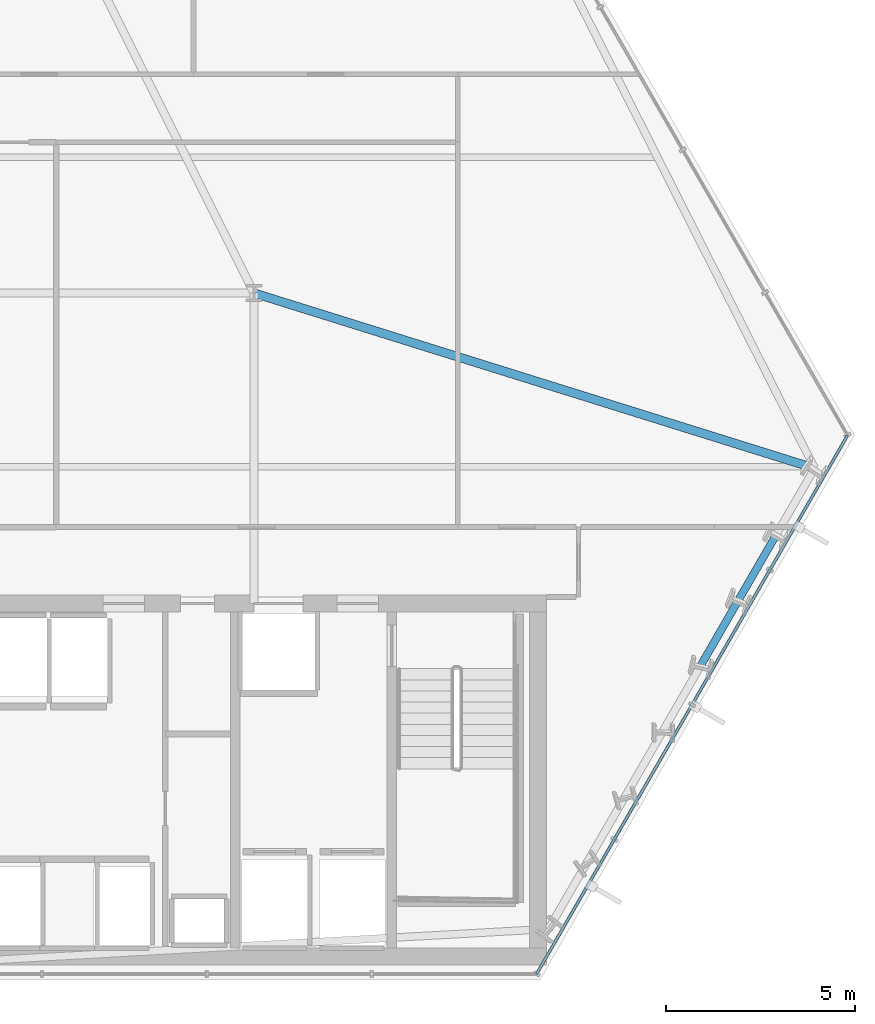
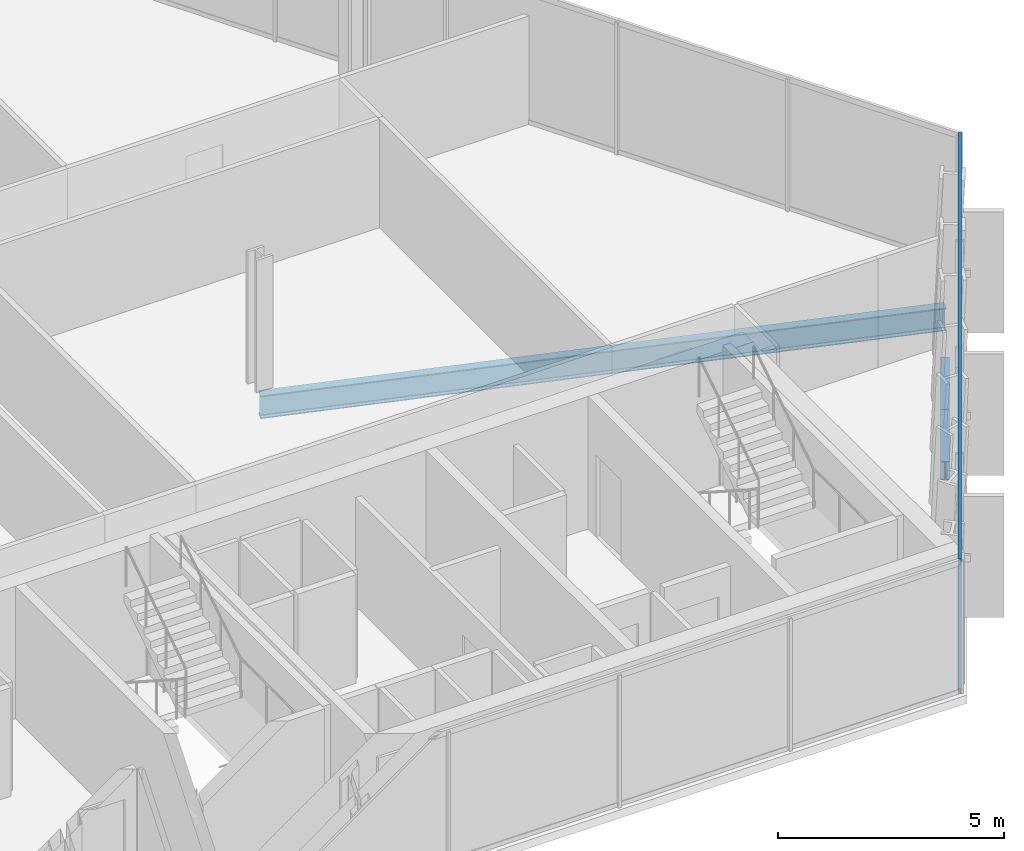
# One storey, part 15 of 33: 3 beams, 2 members, 1 element without a shape of its own.
"""IFC4 building model written with IfcOpenShell, lengths in metres."""

import ifcopenshell
import ifcopenshell.guid

model = None  # the IFC model being written
_history = None  # IfcOwnerHistory: only IFC2X3 demands one
_inside = {}  # id of a spatial element -> (the spatial element, [elements in it])
_under = {}  # id of a project, library or spatial element -> (it, [spatial elements below it])
_declared = {}  # id of a project -> (the project, [libraries it declares])
_typed = {}  # id of a type object -> (the type object, [elements of that type])
_made_of = {}  # id of a material, layer set ... -> (it, [elements and type objects made of it])


def new_model(schema):
    """Start an empty IFC model of exactly this schema.

    Asked for "IFC4X3", IfcOpenShell would pick the latest addendum, in which some entities
    have other attributes; the version numbers below select the first issue.
    IFC2X3 requires an IfcOwnerHistory on every rooted entity: one is made here for all.
    """
    global model, _history
    if schema == "IFC4X3":
        model = ifcopenshell.file(schema_version=(4, 3, 0, 0))
    else:
        model = ifcopenshell.file(schema=schema)
    _inside.clear()
    _under.clear()
    _declared.clear()
    _typed.clear()
    _made_of.clear()
    _history = None
    if model.schema == "IFC2X3":
        org = make("IfcOrganization", Name="unknown")
        user = make(
            "IfcPersonAndOrganization",
            ThePerson=make("IfcPerson", FamilyName="unknown"),
            TheOrganization=org,
        )
        app = make(
            "IfcApplication",
            ApplicationDeveloper=org,
            Version="unknown",
            ApplicationFullName="unknown",
            ApplicationIdentifier="unknown",
        )
        _history = make(
            "IfcOwnerHistory",
            OwningUser=user,
            OwningApplication=app,
            ChangeAction="ADDED",
            CreationDate=0,
        )
    return model


def make(cls, **values):
    """One entity of the class cls with the attributes given. An attribute that is None is left unset."""
    return model.create_entity(
        cls, **{name: value for name, value in values.items() if value is not None}
    )


def rooted(cls, **values):
    """An entity with a GlobalId (a new one), such as an element, a storey or a relation."""
    return make(cls, GlobalId=ifcopenshell.guid.new(), OwnerHistory=_history, **values)


def si_unit(unit_type, name, prefix=None):
    """IfcSIUnit, for example si_unit("LENGTHUNIT", "METRE", prefix="MILLI")."""
    return make("IfcSIUnit", UnitType=unit_type, Prefix=prefix, Name=name)


def assignment(units):
    """IfcUnitAssignment: the units of a project."""
    return None if units is None else make("IfcUnitAssignment", Units=units)


def point(xyz):
    """IfcCartesianPoint."""
    return None if xyz is None else make("IfcCartesianPoint", Coordinates=xyz)


def direction(xyz):
    """IfcDirection."""
    return None if xyz is None else make("IfcDirection", DirectionRatios=xyz)


def frame(location, z_axis=None, x_axis=None):
    """IfcAxis2Placement3D, a coordinate frame: its origin and axes. An axis left out is left unset."""
    return make(
        "IfcAxis2Placement3D",
        Location=point(location),
        Axis=direction(z_axis),
        RefDirection=direction(x_axis),
    )


def frame_2d(location, x_axis=None):
    """IfcAxis2Placement2D, a coordinate frame in the plane: its origin and x axis."""
    return make(
        "IfcAxis2Placement2D", Location=point(location), RefDirection=direction(x_axis)
    )


def origin():
    """The frame at (0, 0, 0) with its axes left unset."""
    return frame((0.0, 0.0, 0.0))


def origin_2d():
    """The frame at (0, 0) in the plane with its x axis left unset."""
    return frame_2d((0.0, 0.0))


def place(relative_to, where):
    """IfcLocalPlacement: puts the frame where relative to a parent placement (None: the world)."""
    return make(
        "IfcLocalPlacement", PlacementRelTo=relative_to, RelativePlacement=where
    )


def context(
    kind, dimensions, precision=None, world=None, true_north=None, identifier=None
):
    """IfcGeometricRepresentationContext, for example the 3D "Model" context."""
    return make(
        "IfcGeometricRepresentationContext",
        ContextIdentifier=identifier,
        ContextType=kind,
        CoordinateSpaceDimension=dimensions,
        Precision=precision,
        WorldCoordinateSystem=world,
        TrueNorth=true_north,
    )


def subcontext(parent, identifier, kind, view, scale=None):
    """IfcGeometricRepresentationSubContext, for example "Body" below "Model"."""
    return make(
        "IfcGeometricRepresentationSubContext",
        ContextIdentifier=identifier,
        ContextType=kind,
        ParentContext=parent,
        TargetScale=scale,
        TargetView=view,
    )


def project(units=None, contexts=None):
    """IfcProject with its units and contexts."""
    return rooted(
        "IfcProject",
        Name="project",
        RepresentationContexts=contexts,
        UnitsInContext=assignment(units),
    )


def spatial(cls, under=None, at=None, **own):
    """A site, building, storey or space (cls), placed at a placement, below another one or the project."""
    s = rooted(cls, ObjectPlacement=at, **own)
    if under is not None:
        _under.setdefault(under.id(), (under, []))[1].append(s)
    return s


def profile(cls, at=None, kind="AREA", **sizes):
    """A parametric profile (cls). Its sizes go by their IFC names, for example OverallWidth=200.0."""
    return make(cls, ProfileType=kind, Position=at, **sizes)


def hollow_rectangle(**sizes):
    """IfcRectangleHollowProfileDef."""
    return profile("IfcRectangleHollowProfileDef", **sizes)


def i_section(**sizes):
    """IfcIShapeProfileDef."""
    return profile("IfcIShapeProfileDef", **sizes)


def extrude(swept, where, along, depth):
    """IfcExtrudedAreaSolid: the profile swept, set in the frame where, extruded along a direction by depth."""
    return make(
        "IfcExtrudedAreaSolid",
        SweptArea=swept,
        Position=where,
        ExtrudedDirection=direction(along),
        Depth=depth,
    )


def shape(context_of_items, identifier, shape_type, items):
    """IfcShapeRepresentation: the items that make up one representation, for example the "Body"."""
    return make(
        "IfcShapeRepresentation",
        ContextOfItems=context_of_items,
        RepresentationIdentifier=identifier,
        RepresentationType=shape_type,
        Items=items,
    )


def material(Name=None, Category=None):
    """IfcMaterial."""
    return make("IfcMaterial", Name=Name, Category=Category)


def layer(
    of_material, thickness, ventilated=None, Name=None, Category=None, Priority=None
):
    """IfcMaterialLayer: one layer of a wall or slab, of a material (None: an air gap)."""
    return make(
        "IfcMaterialLayer",
        Material=of_material,
        LayerThickness=thickness,
        IsVentilated=ventilated,
        Name=Name,
        Category=Category,
        Priority=Priority,
    )


def layer_set(layers, Name=None):
    """IfcMaterialLayerSet."""
    return make("IfcMaterialLayerSet", MaterialLayers=layers, LayerSetName=Name)


def material_profile(
    of_material, cross_section, Name=None, Category=None, Priority=None
):
    """IfcMaterialProfile: a cross section and its material."""
    return make(
        "IfcMaterialProfile",
        Name=Name,
        Material=of_material,
        Profile=cross_section,
        Priority=Priority,
        Category=Category,
    )


def profile_set(profiles, Name=None, composite=None):
    """IfcMaterialProfileSet."""
    return make(
        "IfcMaterialProfileSet",
        Name=Name,
        MaterialProfiles=profiles,
        CompositeProfile=composite,
    )


def made_of(thing, what):
    """Note that an element or type object is made of a material, layer set ...; save() writes the relation."""
    if what is not None:
        _made_of.setdefault(what.id(), (what, []))[1].append(thing)
    return thing


def type_object(cls, material=None, **own):
    """A type object (cls), such as IfcWallType, which elements share."""
    return made_of(rooted(cls, **own), material)


def element(
    cls,
    number,
    at=None,
    inside=None,
    cuts=None,
    type_object=None,
    material=None,
    context=None,
    identifier="Body",
    shape_type=None,
    held_by="IfcProductDefinitionShape",
    body=None,
    shapes=None,
    **own,
):
    """One element of the class cls, such as IfcWall. Its Tag is "e" and its number.

    at: its placement. inside: the storey or other place that contains it. cuts: it is an
    opening in that element (IfcRelVoidsElement). A single representation is given by context,
    identifier, shape_type and body (its items); several are given by shapes. held_by: the class
    of the entity that holds the representations. save() writes the other relations.
    """
    e = rooted(cls, Tag="e%d" % number, ObjectPlacement=at, **own)
    if body is not None:
        shapes = [shape(context, identifier, shape_type, body)]
    if shapes is not None:
        e.Representation = make(held_by, Representations=shapes)
    if inside is not None:
        _inside.setdefault(inside.id(), (inside, []))[1].append(e)
    if cuts is not None:
        rooted(
            "IfcRelVoidsElement", RelatingBuildingElement=cuts, RelatedOpeningElement=e
        )
    if type_object is not None:
        _typed.setdefault(type_object.id(), (type_object, []))[1].append(e)
    return made_of(e, material)


def aggregate(whole, parts):
    """IfcRelAggregates: a whole, such as a stair, and the parts it consists of."""
    return rooted("IfcRelAggregates", RelatingObject=whole, RelatedObjects=parts)


def save(model, path):
    """Write the relations noted so far, then the file.

    IfcRelAggregates (storeys below a building ...), IfcRelContainedInSpatialStructure (elements
    in a storey), IfcRelDefinesByType, IfcRelAssociatesMaterial and IfcRelDeclares: one each for
    every whole, place, type object, material and project.
    """
    for whole, parts in _under.values():
        aggregate(whole, parts)
    for where, things in _inside.values():
        rooted(
            "IfcRelContainedInSpatialStructure",
            RelatedElements=things,
            RelatingStructure=where,
        )
    for kind, things in _typed.values():
        rooted("IfcRelDefinesByType", RelatedObjects=things, RelatingType=kind)
    for what, things in _made_of.values():
        rooted("IfcRelAssociatesMaterial", RelatedObjects=things, RelatingMaterial=what)
    for by, libraries in _declared.values():
        rooted("IfcRelDeclares", RelatingContext=by, RelatedDefinitions=libraries)
    model.write(path)


model = new_model("IFC4")

# Units and contexts
model_context = context("Model", 3, precision=1e-05, world=origin(), true_north=direction((0.0, 1.0)))
body_context = subcontext(model_context, "Body", "Model", "MODEL_VIEW")
ifc_project = project(units=[si_unit("LENGTHUNIT", "METRE"), si_unit("AREAUNIT", "SQUARE_METRE"), si_unit("VOLUMEUNIT", "CUBIC_METRE"), si_unit("PLANEANGLEUNIT", "RADIAN"), si_unit("MASSUNIT", "GRAM", prefix="KILO")], contexts=[model_context])

# Site, building, storey
site_placement = place(None, origin())
site = spatial("IfcSite", under=ifc_project, at=site_placement, CompositionType="ELEMENT")
building_placement = place(site_placement, origin())
building = spatial("IfcBuilding", under=site, at=building_placement, Name="Ndaravel Arena Tower", CompositionType="ELEMENT")
storey_placement = place(building_placement, frame((0.0, 0.0, 43.60009765625)))
storey = spatial("IfcBuildingStorey", under=building, at=storey_placement, Name="L08", CompositionType="ELEMENT", Elevation=43.60009765625)

# Beams
ifc_material_1 = material(Name="Steel S355", Category="steel")
ifc_material_profile_1 = material_profile(ifc_material_1, i_section(OverallWidth=0.230224609375, OverallDepth=0.6171875, WebThickness=0.01318359375, FlangeThickness=0.022216796875, FilletRadius=0.0126953125, at=origin_2d()), Name="UB 610x229x140")
ifc_profile_set_1 = profile_set([ifc_material_profile_1], Name="Steel S355")
beam_type_1 = type_object("IfcBeamType", Name="BM-GIRD-UB610B", PredefinedType="BEAM", material=ifc_profile_set_1)
beam_1_placement = place(storey_placement, frame((64.654052734375, 18.55810546875, -0.52880859375), z_axis=(-0.95448053632, 0.298273206618, 0.0), x_axis=(-0.298273206618, -0.95448053632, 0.0)))
element("IfcBeam", 1, at=beam_1_placement, inside=storey, type_object=beam_type_1, Name="L08 Radial Floor Girder FG-09", PredefinedType="BEAM", context=body_context, shape_type="SweptSolid", body=[
    extrude(i_section(OverallWidth=0.230224609375, OverallDepth=0.6171875, WebThickness=0.01318359375, FlangeThickness=0.022216796875, FilletRadius=0.0126953125, at=origin_2d()), origin(), (0.0, 0.0, 1.0), 15.5625),
])
ifc_material_2 = material(Name="Steel S355", Category="steel")
ifc_material_profile_2 = material_profile(ifc_material_2, i_section(OverallWidth=0.199951171875, OverallDepth=0.5, WebThickness=0.01025390625, FlangeThickness=0.01611328125, FilletRadius=0.02099609375, at=origin_2d()), Name="IPE 500")
ifc_profile_set_2 = profile_set([ifc_material_profile_2], Name="Steel S355")
beam_type_2 = type_object("IfcBeamType", Name="BM-SPAN-IPE500", PredefinedType="SPANDREL", material=ifc_profile_set_2)
beam_2_placement = place(storey_placement, frame((61.6337890625, 13.326904296875, -0.47021484375), z_axis=(0.500051323872, 0.865995769906, 0.0), x_axis=(-0.865995769906, 0.500051323872, 0.0)))
element("IfcBeam", 2, at=beam_2_placement, inside=storey, type_object=beam_type_2, Name="L08 Perimeter Spandrel Beam SP-06", PredefinedType="SPANDREL", context=body_context, shape_type="SweptSolid", body=[
    extrude(i_section(OverallWidth=0.199951171875, OverallDepth=0.5, WebThickness=0.01025390625, FlangeThickness=0.01611328125, FilletRadius=0.02099609375, at=origin_2d()), origin(), (0.0, 0.0, 1.0), 2.013427734375),
])
beam_3_placement = place(storey_placement, frame((62.640625, 15.070556640625, -0.47021484375), z_axis=(0.499998820369, 0.866026084844, 0.0), x_axis=(-0.866026084844, 0.499998820369, 0.0)))
element("IfcBeam", 3, at=beam_3_placement, inside=storey, type_object=beam_type_2, Name="L08 Perimeter Spandrel Beam SP-07", PredefinedType="SPANDREL", context=body_context, shape_type="SweptSolid", body=[
    extrude(i_section(OverallWidth=0.199951171875, OverallDepth=0.5, WebThickness=0.01025390625, FlangeThickness=0.01611328125, FilletRadius=0.02099609375, at=origin_2d()), origin(), (0.0, 0.0, 1.0), 2.013671875),
])

# Curtain wall, members
ifc_material_3 = material(Name="Aluminium", Category="aluminium")
ifc_layer = layer(ifc_material_3, 0.179931640625)
ifc_layer_set = layer_set([ifc_layer], Name="Aluminium")
curtain_wall_type = type_object("IfcCurtainWallType", Name="CW-SYS-01", PredefinedType="NOTDEFINED", material=ifc_layer_set)
curtain_wall_placement = place(storey_placement, origin())
curtain_wall = element("IfcCurtainWall", 4, at=curtain_wall_placement, inside=storey, type_object=curtain_wall_type, Name="L08 Faceted Crystal Curtain Wall CW-L08-E02", PredefinedType="NOTDEFINED")
ifc_material_4 = material(Name="Aluminium", Category="aluminium")
ifc_material_profile_3 = material_profile(ifc_material_4, hollow_rectangle(XDim=0.074951171875, YDim=0.14990234375, WallThickness=0.00390625, at=origin_2d()), Name="CW TRANSOM 75x150x4")
ifc_profile_set_3 = profile_set([ifc_material_profile_3], Name="Aluminium")
member_type = type_object("IfcMemberType", Name="MEM-CW-TRN150", PredefinedType="USERDEFINED", material=ifc_profile_set_3)
member_1_placement = place(storey_placement, frame((57.2880859375, 5.159912109375, 0.039794921875), z_axis=(0.500009742867, 0.866019778664, 0.0), x_axis=(-0.866019778664, 0.500009742867, 0.0)))
member_1 = element("IfcMember", 5, at=member_1_placement, type_object=member_type, Name="CW-L08-E02 Transom 01", ObjectType="TRANSOM", PredefinedType="USERDEFINED", context=body_context, shape_type="SweptSolid", body=[
    extrude(hollow_rectangle(XDim=0.074951171875, YDim=0.14990234375, WallThickness=0.00390625, at=origin_2d()), origin(), (0.0, 0.0, 1.0), 16.477783203125),
])
member_2_placement = place(storey_placement, frame((57.2880859375, 5.159912109375, 3.539794921875), z_axis=(0.500009742867, 0.866019778664, 0.0), x_axis=(-0.866019778664, 0.500009742867, 0.0)))
member_2 = element("IfcMember", 6, at=member_2_placement, type_object=member_type, Name="CW-L08-E02 Transom 02", ObjectType="TRANSOM", PredefinedType="USERDEFINED", context=body_context, shape_type="SweptSolid", body=[
    extrude(hollow_rectangle(XDim=0.074951171875, YDim=0.14990234375, WallThickness=0.00390625, at=origin_2d()), origin(), (0.0, 0.0, 1.0), 16.477783203125),
])
aggregate(curtain_wall, [member_1, member_2])

save(model, "model.ifc")
